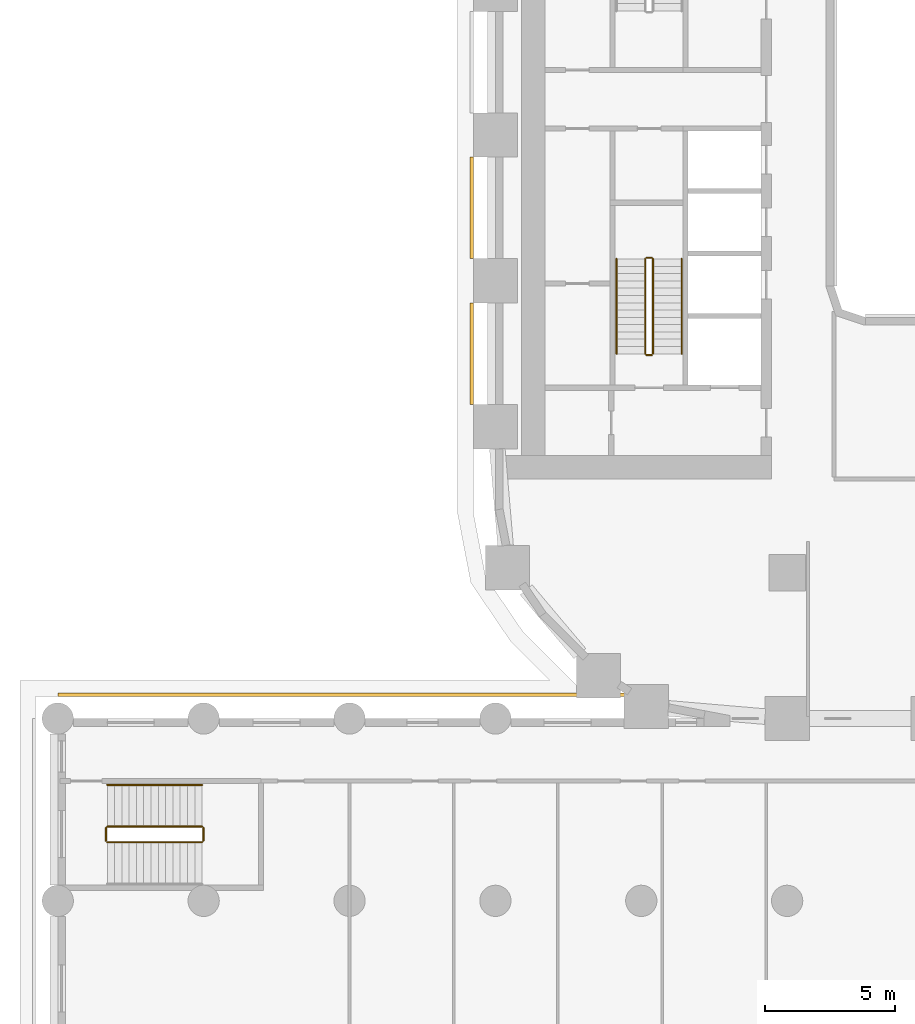
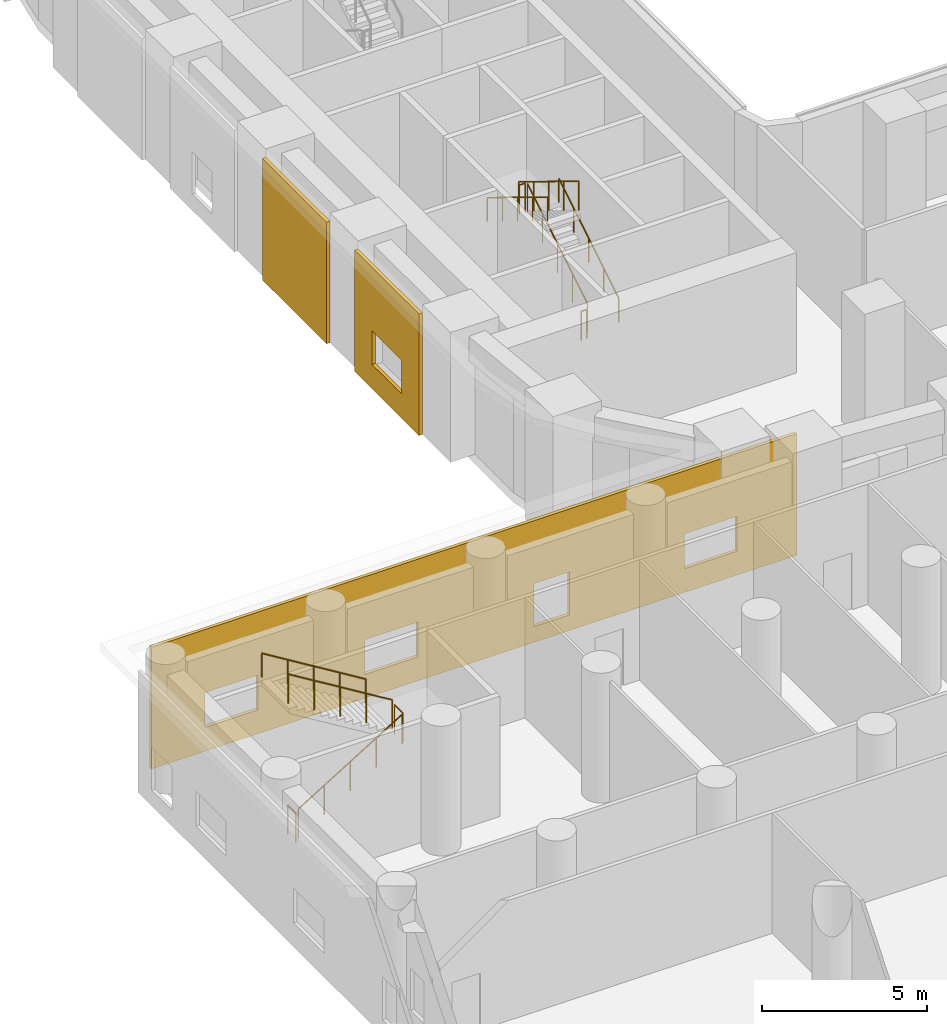
# One storey, part 21 of 27: 11 railings, 3 coverings.
"""IFC4 building model written with IfcOpenShell, lengths in metres."""

from ifc_helpers import new_model, si_unit, direction, frame, origin, origin_2d, place, context, subcontext, project, spatial, polyline, circle, outline, extrude, material, layer, layer_set, type_object, element, save


model = new_model("IFC4")

# Units and contexts
model_context = context("Model", 3, precision=1e-05, world=origin(), true_north=direction((0.0, 1.0)))
body_context = subcontext(model_context, "Body", "Model", "MODEL_VIEW")
ifc_project = project(units=[si_unit("LENGTHUNIT", "METRE"), si_unit("AREAUNIT", "SQUARE_METRE"), si_unit("VOLUMEUNIT", "CUBIC_METRE"), si_unit("PLANEANGLEUNIT", "RADIAN"), si_unit("MASSUNIT", "GRAM", prefix="KILO")], contexts=[model_context])

# Site, building, storey
site_placement = place(None, origin())
site = spatial("IfcSite", under=ifc_project, at=site_placement, CompositionType="ELEMENT")
building_placement = place(site_placement, origin())
building = spatial("IfcBuilding", under=site, at=building_placement, Name="Kiln Ring Residences", CompositionType="ELEMENT")
storey_placement = place(building_placement, frame((0.0, 0.0, 6.5)))
storey = spatial("IfcBuildingStorey", under=building, at=storey_placement, Name="L01", CompositionType="ELEMENT", Elevation=6.5)

# Railings
ifc_material_1 = material(Name="Stainless steel", Category="steel")
railing_type_1 = type_object("IfcRailingType", Name="CORE-STAIR-GUARD", PredefinedType="GUARDRAIL", material=ifc_material_1)
railing_1_placement = place(storey_placement, frame((-21.949951171875, -8.39990234375, 0.17138671875)))
element("IfcRailing", 1, at=railing_1_placement, inside=storey, type_object=railing_type_1, Name="L01 W-STS stair guard 1", PredefinedType="GUARDRAIL", context=body_context, shape_type="SweptSolid", body=[
    extrude(circle(Radius=0.02392578125, at=origin_2d()), frame((0.0, 0.0, 1.076171875), z_axis=(0.0, 0.852850264322, 0.5221555579), x_axis=(-1.0, 0.0, 0.0)), (0.0, 0.0, 1.0), 4.267822265625),
    extrude(circle(Radius=0.02099609375, at=origin_2d()), origin(), (0.0, 0.0, 1.0), 1.052001953125),
    extrude(circle(Radius=0.02099609375, at=origin_2d()), frame((0.0, 0.909912109375, 0.55712890625)), (0.0, 0.0, 1.0), 1.052001953125),
    extrude(circle(Radius=0.02099609375, at=origin_2d()), frame((0.0, 1.81982421875, 1.1142578125)), (0.0, 0.0, 1.0), 1.052001953125),
    extrude(circle(Radius=0.02099609375, at=origin_2d()), frame((0.0, 2.72998046875, 1.67138671875)), (0.0, 0.0, 1.0), 1.052001953125),
    extrude(circle(Radius=0.02099609375, at=origin_2d()), frame((0.0, 3.639892578125, 2.228515625)), (0.0, 0.0, 1.0), 1.052001953125),
])
railing_2_placement = place(storey_placement, frame((-22.0, -4.7099609375, 2.39990234375)))
element("IfcRailing", 2, at=railing_2_placement, inside=storey, type_object=railing_type_1, Name="L01 W-STS stair guard 2", PredefinedType="GUARDRAIL", context=body_context, shape_type="SweptSolid", body=[
    extrude(circle(Radius=0.02392578125, at=origin_2d()), frame((0.0, 0.0, 1.076171875), z_axis=(-1.0, 0.0, 0.0), x_axis=(0.0, -1.0, 0.0)), (0.0, 0.0, 1.0), 0.199951171875),
    extrude(circle(Radius=0.02099609375, at=origin_2d()), origin(), (0.0, 0.0, 1.0), 1.052001953125),
    extrude(circle(Radius=0.02099609375, at=origin_2d()), frame((-0.199951171875, 0.0, 0.0)), (0.0, 0.0, 1.0), 1.052001953125),
])
railing_3_placement = place(storey_placement, frame((-22.25, -4.760009765625, 2.571533203125)))
element("IfcRailing", 3, at=railing_3_placement, inside=storey, type_object=railing_type_1, Name="L01 W-STS stair guard 3", PredefinedType="GUARDRAIL", context=body_context, shape_type="SweptSolid", body=[
    extrude(circle(Radius=0.02392578125, at=origin_2d()), frame((0.0, 0.0, 1.076171875), z_axis=(0.0, -0.852850264322, 0.5221555579), x_axis=(1.0, 0.0, 0.0)), (0.0, 0.0, 1.0), 4.267822265625),
    extrude(circle(Radius=0.02099609375, at=origin_2d()), origin(), (0.0, 0.0, 1.0), 1.052001953125),
    extrude(circle(Radius=0.02099609375, at=origin_2d()), frame((0.0, -0.909912109375, 0.55712890625)), (0.0, 0.0, 1.0), 1.052001953125),
    extrude(circle(Radius=0.02099609375, at=origin_2d()), frame((0.0, -1.81982421875, 1.1142578125)), (0.0, 0.0, 1.0), 1.052001953125),
    extrude(circle(Radius=0.02099609375, at=origin_2d()), frame((0.0, -2.72998046875, 1.67138671875)), (0.0, 0.0, 1.0), 1.052001953125),
    extrude(circle(Radius=0.02099609375, at=origin_2d()), frame((0.0, -3.639892578125, 2.228515625)), (0.0, 0.0, 1.0), 1.052001953125),
])
railing_4_placement = place(storey_placement, frame((-22.0, -8.449951171875, 0.0)))
element("IfcRailing", 4, at=railing_4_placement, inside=storey, type_object=railing_type_1, Name="L01 W-STS stair guard 4", PredefinedType="GUARDRAIL", context=body_context, shape_type="SweptSolid", body=[
    extrude(circle(Radius=0.02392578125, at=origin_2d()), frame((0.0, 0.0, 1.076171875), z_axis=(-1.0, 0.0, 0.0), x_axis=(0.0, -1.0, 0.0)), (0.0, 0.0, 1.0), 0.199951171875),
    extrude(circle(Radius=0.02099609375, at=origin_2d()), origin(), (0.0, 0.0, 1.0), 1.052001953125),
    extrude(circle(Radius=0.02099609375, at=origin_2d()), frame((-0.199951171875, 0.0, 0.0)), (0.0, 0.0, 1.0), 1.052001953125),
])
ifc_material_2 = material(Name="Stainless steel", Category="steel")
railing_type_2 = type_object("IfcRailingType", Name="CORE-STAIR-HANDRAIL", PredefinedType="HANDRAIL", material=ifc_material_2)
railing_5_placement = place(storey_placement, frame((-20.85009765625, -8.39990234375, 0.17138671875)))
element("IfcRailing", 5, at=railing_5_placement, inside=storey, type_object=railing_type_2, Name="L01 W-STS stair handrail 1", PredefinedType="HANDRAIL", context=body_context, shape_type="SweptSolid", body=[
    extrude(circle(Radius=0.02392578125, at=origin_2d()), frame((0.0, 0.0, 0.8759765625), z_axis=(0.0, 0.852850264322, 0.5221555579), x_axis=(-1.0, 0.0, 0.0)), (0.0, 0.0, 1.0), 4.267822265625),
    extrude(circle(Radius=0.02099609375, at=origin_2d()), origin(), (0.0, 0.0, 1.0), 0.851806640625),
    extrude(circle(Radius=0.02099609375, at=origin_2d()), frame((0.0, 0.909912109375, 0.55712890625)), (0.0, 0.0, 1.0), 0.851806640625),
    extrude(circle(Radius=0.02099609375, at=origin_2d()), frame((0.0, 1.81982421875, 1.1142578125)), (0.0, 0.0, 1.0), 0.851806640625),
    extrude(circle(Radius=0.02099609375, at=origin_2d()), frame((0.0, 2.72998046875, 1.67138671875)), (0.0, 0.0, 1.0), 0.851806640625),
    extrude(circle(Radius=0.02099609375, at=origin_2d()), frame((0.0, 3.639892578125, 2.228515625)), (0.0, 0.0, 1.0), 0.851806640625),
])
railing_6_placement = place(storey_placement, frame((-23.35009765625, -4.760009765625, 2.571533203125)))
element("IfcRailing", 6, at=railing_6_placement, inside=storey, type_object=railing_type_2, Name="L01 W-STS stair handrail 2", PredefinedType="HANDRAIL", context=body_context, shape_type="SweptSolid", body=[
    extrude(circle(Radius=0.02392578125, at=origin_2d()), frame((0.0, 0.0, 0.8759765625), z_axis=(0.0, -0.852850264322, 0.5221555579), x_axis=(1.0, 0.0, 0.0)), (0.0, 0.0, 1.0), 4.267822265625),
    extrude(circle(Radius=0.02099609375, at=origin_2d()), origin(), (0.0, 0.0, 1.0), 0.851806640625),
    extrude(circle(Radius=0.02099609375, at=origin_2d()), frame((0.0, -0.909912109375, 0.55712890625)), (0.0, 0.0, 1.0), 0.851806640625),
    extrude(circle(Radius=0.02099609375, at=origin_2d()), frame((0.0, -1.81982421875, 1.1142578125)), (0.0, 0.0, 1.0), 0.851806640625),
    extrude(circle(Radius=0.02099609375, at=origin_2d()), frame((0.0, -2.72998046875, 1.67138671875)), (0.0, 0.0, 1.0), 0.851806640625),
    extrude(circle(Radius=0.02099609375, at=origin_2d()), frame((0.0, -3.639892578125, 2.228515625)), (0.0, 0.0, 1.0), 0.851806640625),
])
ifc_material_3 = material(Name="Stainless steel", Category="steel")
railing_type_3 = type_object("IfcRailingType", Name="PODIUM-STAIR-GUARD", PredefinedType="GUARDRAIL", material=ifc_material_3)
railing_7_placement = place(storey_placement, frame((-42.89990234375, -27.14990234375, 0.17138671875)))
element("IfcRailing", 7, at=railing_7_placement, inside=storey, type_object=railing_type_3, Name="L01 PS-W stair guard 1", PredefinedType="GUARDRAIL", context=body_context, shape_type="SweptSolid", body=[
    extrude(circle(Radius=0.02392578125, at=origin_2d()), frame((0.0, 0.0, 1.076171875), z_axis=(0.852850264322, 0.0, 0.5221555579), x_axis=(0.0, 1.0, 0.0)), (0.0, 0.0, 1.0), 4.267822265625),
    extrude(circle(Radius=0.02099609375, at=origin_2d()), origin(), (0.0, 0.0, 1.0), 1.052001953125),
    extrude(circle(Radius=0.02099609375, at=origin_2d()), frame((0.909912109375, 0.0, 0.55712890625)), (0.0, 0.0, 1.0), 1.052001953125),
    extrude(circle(Radius=0.02099609375, at=origin_2d()), frame((1.81982421875, 0.0, 1.1142578125)), (0.0, 0.0, 1.0), 1.052001953125),
    extrude(circle(Radius=0.02099609375, at=origin_2d()), frame((2.72998046875, 0.0, 1.67138671875)), (0.0, 0.0, 1.0), 1.052001953125),
    extrude(circle(Radius=0.02099609375, at=origin_2d()), frame((3.639892578125, 0.0, 2.228515625)), (0.0, 0.0, 1.0), 1.052001953125),
])
railing_8_placement = place(storey_placement, frame((-39.2099609375, -27.10009765625, 2.39990234375)))
element("IfcRailing", 8, at=railing_8_placement, inside=storey, type_object=railing_type_3, Name="L01 PS-W stair guard 2", PredefinedType="GUARDRAIL", context=body_context, shape_type="SweptSolid", body=[
    extrude(circle(Radius=0.02392578125, at=origin_2d()), frame((0.0, 0.0, 1.076171875), z_axis=(0.0, 1.0, 0.0), x_axis=(-1.0, 0.0, 0.0)), (0.0, 0.0, 1.0), 0.5),
    extrude(circle(Radius=0.02099609375, at=origin_2d()), origin(), (0.0, 0.0, 1.0), 1.052001953125),
    extrude(circle(Radius=0.02099609375, at=origin_2d()), frame((0.0, 0.5, 0.0)), (0.0, 0.0, 1.0), 1.052001953125),
])
railing_9_placement = place(storey_placement, frame((-39.260009765625, -26.550048828125, 2.571533203125)))
element("IfcRailing", 9, at=railing_9_placement, inside=storey, type_object=railing_type_3, Name="L01 PS-W stair guard 3", PredefinedType="GUARDRAIL", context=body_context, shape_type="SweptSolid", body=[
    extrude(circle(Radius=0.02392578125, at=origin_2d()), frame((0.0, 0.0, 1.076171875), z_axis=(-0.852850264322, 0.0, 0.5221555579), x_axis=(0.0, -1.0, 0.0)), (0.0, 0.0, 1.0), 4.267822265625),
    extrude(circle(Radius=0.02099609375, at=origin_2d()), origin(), (0.0, 0.0, 1.0), 1.052001953125),
    extrude(circle(Radius=0.02099609375, at=origin_2d()), frame((-0.909912109375, 0.0, 0.55712890625)), (0.0, 0.0, 1.0), 1.052001953125),
    extrude(circle(Radius=0.02099609375, at=origin_2d()), frame((-1.81982421875, 0.0, 1.1142578125)), (0.0, 0.0, 1.0), 1.052001953125),
    extrude(circle(Radius=0.02099609375, at=origin_2d()), frame((-2.72998046875, 0.0, 1.67138671875)), (0.0, 0.0, 1.0), 1.052001953125),
    extrude(circle(Radius=0.02099609375, at=origin_2d()), frame((-3.639892578125, 0.0, 2.228515625)), (0.0, 0.0, 1.0), 1.052001953125),
])
railing_10_placement = place(storey_placement, frame((-42.949951171875, -27.10009765625, 0.0)))
element("IfcRailing", 10, at=railing_10_placement, inside=storey, type_object=railing_type_3, Name="L01 PS-W stair guard 4", PredefinedType="GUARDRAIL", context=body_context, shape_type="SweptSolid", body=[
    extrude(circle(Radius=0.02392578125, at=origin_2d()), frame((0.0, 0.0, 1.076171875), z_axis=(0.0, 1.0, 0.0), x_axis=(-1.0, 0.0, 0.0)), (0.0, 0.0, 1.0), 0.5),
    extrude(circle(Radius=0.02099609375, at=origin_2d()), origin(), (0.0, 0.0, 1.0), 1.052001953125),
    extrude(circle(Radius=0.02099609375, at=origin_2d()), frame((0.0, 0.5, 0.0)), (0.0, 0.0, 1.0), 1.052001953125),
])
ifc_material_4 = material(Name="Stainless steel", Category="steel")
railing_type_4 = type_object("IfcRailingType", Name="PODIUM-STAIR-HANDRAIL", PredefinedType="HANDRAIL", material=ifc_material_4)
railing_11_placement = place(storey_placement, frame((-39.260009765625, -24.949951171875, 2.571533203125)))
element("IfcRailing", 11, at=railing_11_placement, inside=storey, type_object=railing_type_4, Name="L01 PS-W stair handrail 2", PredefinedType="HANDRAIL", context=body_context, shape_type="SweptSolid", body=[
    extrude(circle(Radius=0.02392578125, at=origin_2d()), frame((0.0, 0.0, 0.8759765625), z_axis=(-0.852850264322, 0.0, 0.5221555579), x_axis=(0.0, -1.0, 0.0)), (0.0, 0.0, 1.0), 4.267822265625),
    extrude(circle(Radius=0.02099609375, at=origin_2d()), origin(), (0.0, 0.0, 1.0), 0.851806640625),
    extrude(circle(Radius=0.02099609375, at=origin_2d()), frame((-0.909912109375, 0.0, 0.55712890625)), (0.0, 0.0, 1.0), 0.851806640625),
    extrude(circle(Radius=0.02099609375, at=origin_2d()), frame((-1.81982421875, 0.0, 1.1142578125)), (0.0, 0.0, 1.0), 0.851806640625),
    extrude(circle(Radius=0.02099609375, at=origin_2d()), frame((-2.72998046875, 0.0, 1.67138671875)), (0.0, 0.0, 1.0), 0.851806640625),
    extrude(circle(Radius=0.02099609375, at=origin_2d()), frame((-3.639892578125, 0.0, 2.228515625)), (0.0, 0.0, 1.0), 0.851806640625),
])

# Coverings
ifc_material_5 = material(Name="Brick masonry, dark clay brick", Category="masonry")
ifc_layer = layer(ifc_material_5, 0.1201171875)
ifc_layer_set = layer_set([ifc_layer], Name="RAINSCREEN PANEL 120")
covering_type = type_object("IfcCoveringType", Name="RAINSCREEN PANEL 120", PredefinedType="CLADDING", material=ifc_layer_set)
covering_1_placement = place(storey_placement, frame((-28.909912109375, -0.85009765625, 0.0), z_axis=(0.0, 0.0, 1.0), x_axis=(0.0, -1.0, 0.0)))
element("IfcCovering", 12, at=covering_1_placement, inside=storey, type_object=covering_type, Name="RAINSCREEN L01", PredefinedType="CLADDING", context=body_context, shape_type="SweptSolid", body=[
    extrude(outline(polyline([(0.0, 0.0), (3.89990234375, 0.0), (3.89990234375, 4.5), (0.0, 4.5), (0.0, 0.0)])), frame((0.0, 0.06005859375, 0.0), z_axis=(0.0, -1.0, 0.0), x_axis=(1.0, 0.0, 0.0)), (0.0, 0.0, 1.0), 0.1201171875),
])
covering_2_placement = place(storey_placement, frame((-28.909912109375, -6.449951171875, 0.0), z_axis=(0.0, 0.0, 1.0), x_axis=(0.0, -1.0, 0.0)))
element("IfcCovering", 13, at=covering_2_placement, inside=storey, type_object=covering_type, Name="RAINSCREEN L01", PredefinedType="CLADDING", context=body_context, shape_type="SweptSolid", body=[
    extrude(outline(polyline([(0.0, 0.0), (3.89990234375, 0.0), (3.89990234375, 4.5), (0.0, 4.5), (0.0, 0.0)]), holes=[polyline([(1.050048828125, 2.14990234375), (1.050048828125, 0.89990234375), (2.85009765625, 0.89990234375), (2.85009765625, 2.14990234375), (1.050048828125, 2.14990234375)])]), frame((0.0, 0.06005859375, 0.0), z_axis=(0.0, -1.0, 0.0), x_axis=(1.0, 0.0, 0.0)), (0.0, 0.0, 1.0), 0.1201171875),
])
covering_3_placement = place(storey_placement, frame((-22.208740234375, -21.489990234375, 0.0), z_axis=(0.0, 0.0, 1.0), x_axis=(-1.0, 0.0, 0.0)))
element("IfcCovering", 14, at=covering_3_placement, inside=storey, type_object=covering_type, Name="RAINSCREEN L01", PredefinedType="CLADDING", context=body_context, shape_type="SweptSolid", body=[
    extrude(outline(polyline([(0.0, 0.0), (22.59130859375, 0.0), (22.59130859375, 4.5), (0.0, 4.5), (0.0, 0.0)]), holes=[polyline([(9.211181640625, 0.580078125), (9.211181640625, 2.169921875), (7.97119140625, 2.169921875), (7.97119140625, 0.580078125), (9.211181640625, 0.580078125)]), polyline([(3.940673828125, 0.8798828125), (3.940673828125, 2.169921875), (2.1005859375, 2.169921875), (2.1005859375, 0.8798828125), (3.940673828125, 0.8798828125)]), polyline([(15.111328125, 0.8798828125), (15.111328125, 2.169921875), (13.271240234375, 2.169921875), (13.271240234375, 0.8798828125), (15.111328125, 0.8798828125)]), polyline([(20.711181640625, 0.8798828125), (20.711181640625, 2.169921875), (18.871337890625, 2.169921875), (18.871337890625, 0.8798828125), (20.711181640625, 0.8798828125)])]), frame((0.0, 0.06005859375, 0.0), z_axis=(0.0, -1.0, 0.0), x_axis=(1.0, 0.0, 0.0)), (0.0, 0.0, 1.0), 0.1201171875),
])

save(model, "model.ifc")
